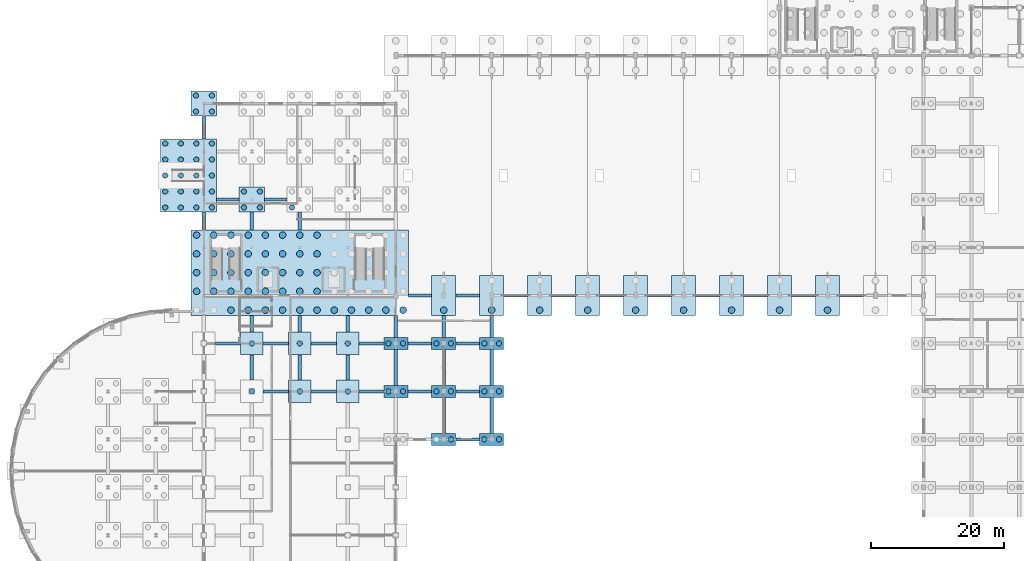
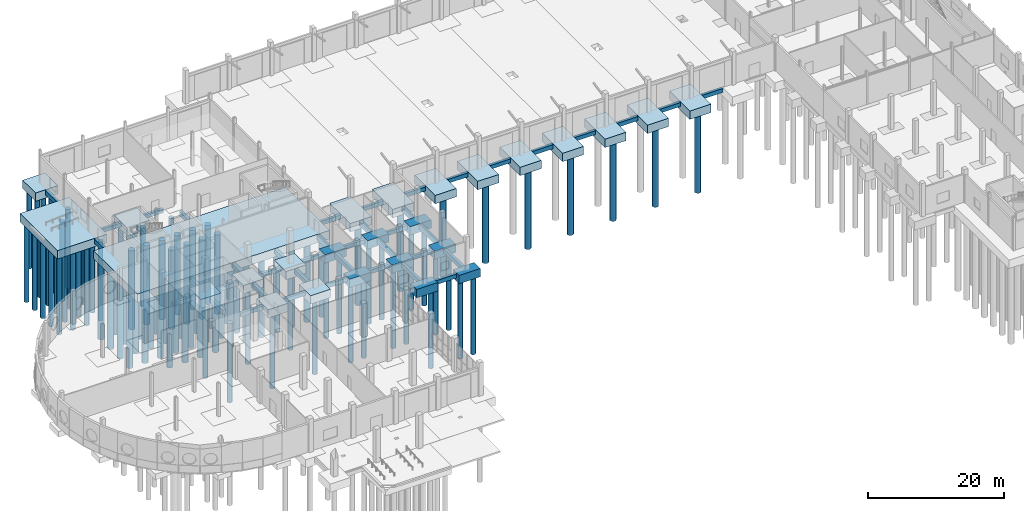
# One storey, part 2 of 45: 102 piles, 68 footings.
"""IFC4 building model written with IfcOpenShell, lengths in metres."""

from ifc_helpers import new_model, si_unit, direction, frame, origin, origin_2d, place, context, subcontext, project, spatial, rectangle, circle, extrude, material, material_profile, profile_set, type_object, element, save


model = new_model("IFC4")

# Units and contexts
model_context = context("Model", 3, precision=1e-05, world=origin(), true_north=direction((0.0, 1.0)))
body_context = subcontext(model_context, "Body", "Model", "MODEL_VIEW")
ifc_project = project(units=[si_unit("LENGTHUNIT", "METRE"), si_unit("AREAUNIT", "SQUARE_METRE"), si_unit("VOLUMEUNIT", "CUBIC_METRE"), si_unit("PLANEANGLEUNIT", "RADIAN"), si_unit("MASSUNIT", "GRAM", prefix="KILO")], contexts=[model_context])

# Site, building, storey
site_placement = place(None, origin())
site = spatial("IfcSite", under=ifc_project, at=site_placement, CompositionType="ELEMENT")
building_placement = place(site_placement, origin())
building = spatial("IfcBuilding", under=site, at=building_placement, Name="Yarey Park Central Fire Station", CompositionType="ELEMENT")
storey_placement = place(building_placement, origin())
storey = spatial("IfcBuildingStorey", under=building, at=storey_placement, Name="L01", CompositionType="ELEMENT", Elevation=0.0)

# Footings
ifc_material = material(Name="Concrete C35/45", Category="concrete")
footing_type_1 = type_object("IfcFootingType", Name="STR_CAP_M02", PredefinedType="PILE_CAP", material=ifc_material)
footing_1_placement = place(storey_placement, frame((43.199951171875, 61.02490234375, -1.5), z_axis=(0.0, 0.0, 1.0), x_axis=(1.0, 0.0, 0.0)))
element("IfcFooting", 1, at=footing_1_placement, inside=storey, type_object=footing_type_1, Name="FDN_CAP_002", PredefinedType="PILE_CAP", context=body_context, shape_type="SweptSolid", body=[
    extrude(rectangle(XDim=32.60009765625, YDim=12.85009765625, at=origin_2d()), origin(), (0.0, 0.0, 1.0), 1.5),
])
footing_type_2 = type_object("IfcFootingType", Name="STR_CAP_M08", PredefinedType="PILE_CAP", material=ifc_material)
footing_2_placement = place(storey_placement, frame((26.5, 75.60009765625, -1.5), z_axis=(0.0, 0.0, 1.0), x_axis=(1.0, 0.0, 0.0)))
element("IfcFooting", 2, at=footing_2_placement, inside=storey, type_object=footing_type_2, Name="FDN_CAP_008", PredefinedType="PILE_CAP", context=body_context, shape_type="SweptSolid", body=[
    extrude(rectangle(XDim=8.39990234375, YDim=11.0, at=origin_2d()), origin(), (0.0, 0.0, 1.0), 1.5),
])
footing_type_3 = type_object("IfcFootingType", Name="STR_CAP_PC2", PredefinedType="PILE_CAP", material=ifc_material)
for number, where, z_axis, x_axis, name in (
    (3, (57.60009765625, 43.199951171875, -1.5), (0.0, 0.0, 1.0), (1.0, 0.0, 0.0), "FDN_CAP_059"),
    (4, (57.60009765625, 50.39990234375, -1.5), (0.0, 0.0, 1.0), (1.0, 0.0, 0.0), "FDN_CAP_060"),
    (5, (64.800048828125, 36.0, -1.5), (0.0, 0.0, 1.0), (1.0, 0.0, 0.0), "FDN_CAP_065"),
    (6, (64.800048828125, 43.199951171875, -1.5), (0.0, 0.0, 1.0), (1.0, 0.0, 0.0), "FDN_CAP_066"),
    (7, (64.800048828125, 50.39990234375, -1.5), (0.0, 0.0, 1.0), (1.0, 0.0, 0.0), "FDN_CAP_067"),
    (8, (72.0, 36.0, -1.5), (0.0, 0.0, 1.0), (1.0, 0.0, 0.0), "FDN_CAP_070"),
    (9, (72.0, 43.199951171875, -1.5), (0.0, 0.0, 1.0), (1.0, 0.0, 0.0), "FDN_CAP_071"),
    (10, (72.0, 50.39990234375, -1.5), (0.0, 0.0, 1.0), (1.0, 0.0, 0.0), "FDN_CAP_072"),
):
    element("IfcFooting", number, at=place(storey_placement, frame(where, z_axis=z_axis, x_axis=x_axis)), inside=storey, type_object=footing_type_3, Name=name, PredefinedType="PILE_CAP", context=body_context, shape_type="SweptSolid", body=[
        extrude(rectangle(XDim=3.60009765625, YDim=1.800048828125, at=origin_2d()), origin(), (0.0, 0.0, 1.0), 1.5),
    ])
footing_type_4 = type_object("IfcFootingType", Name="STR_CAP_PC4", PredefinedType="PILE_CAP", material=ifc_material)
for number, where, z_axis, x_axis, name in (
    (11, (36.0, 50.39990234375, -1.5), (0.0, 0.0, 1.0), (1.0, 0.0, 0.0), "FDN_CAP_033"),
    (12, (43.199951171875, 43.199951171875, -1.5), (0.0, 0.0, 1.0), (1.0, 0.0, 0.0), "FDN_CAP_039"),
    (13, (43.199951171875, 50.39990234375, -1.5), (0.0, 0.0, 1.0), (1.0, 0.0, 0.0), "FDN_CAP_040"),
    (14, (50.39990234375, 43.199951171875, -1.5), (0.0, 0.0, 1.0), (1.0, 0.0, 0.0), "FDN_CAP_049"),
    (15, (50.39990234375, 50.39990234375, -1.5), (0.0, 0.0, 1.0), (1.0, 0.0, 0.0), "FDN_CAP_050"),
):
    element("IfcFooting", number, at=place(storey_placement, frame(where, z_axis=z_axis, x_axis=x_axis)), inside=storey, type_object=footing_type_4, Name=name, PredefinedType="PILE_CAP", context=body_context, shape_type="SweptSolid", body=[
        extrude(rectangle(XDim=3.39990234375, YDim=3.39990234375, at=origin_2d()), origin(), (0.0, 0.0, 1.0), 1.5),
    ])
footing_type_5 = type_object("IfcFootingType", Name="STR_CAP_PC4H", PredefinedType="PILE_CAP", material=ifc_material)
for number, where, z_axis, x_axis, name in (
    (16, (28.800048828125, 86.39990234375, -1.5), (0.0, 0.0, 1.0), (1.0, 0.0, 0.0), "FDN_CAP_026"),
    (17, (36.0, 72.0, -1.5), (0.0, 0.0, 1.0), (1.0, 0.0, 0.0), "FDN_CAP_034"),
):
    element("IfcFooting", number, at=place(storey_placement, frame(where, z_axis=z_axis, x_axis=x_axis)), inside=storey, type_object=footing_type_5, Name=name, PredefinedType="PILE_CAP", context=body_context, shape_type="SweptSolid", body=[
        extrude(rectangle(XDim=3.800048828125, YDim=3.800048828125, at=origin_2d()), origin(), (0.0, 0.0, 1.0), 1.5),
    ])
footing_type_6 = type_object("IfcFootingType", Name="STR_CAP_PC6B", PredefinedType="PILE_CAP", material=ifc_material)
for number, where, z_axis, x_axis, name in (
    (18, (64.800048828125, 57.60009765625, -1.5), (0.0, 0.0, 1.0), (1.0, 0.0, 0.0), "FDN_CAP_068"),
    (19, (72.0, 57.60009765625, -1.5), (0.0, 0.0, 1.0), (1.0, 0.0, 0.0), "FDN_CAP_073"),
    (20, (79.199951171875, 57.60009765625, -1.5), (0.0, 0.0, 1.0), (1.0, 0.0, 0.0), "FDN_CAP_075"),
    (21, (86.39990234375, 57.60009765625, -1.5), (0.0, 0.0, 1.0), (1.0, 0.0, 0.0), "FDN_CAP_077"),
    (22, (93.60009765625, 57.60009765625, -1.5), (0.0, 0.0, 1.0), (1.0, 0.0, 0.0), "FDN_CAP_079"),
    (23, (100.800048828125, 57.60009765625, -1.5), (0.0, 0.0, 1.0), (1.0, 0.0, 0.0), "FDN_CAP_081"),
    (24, (108.0, 57.60009765625, -1.5), (0.0, 0.0, 1.0), (1.0, 0.0, 0.0), "FDN_CAP_083"),
    (25, (115.199951171875, 57.60009765625, -1.5), (0.0, 0.0, 1.0), (1.0, 0.0, 0.0), "FDN_CAP_085"),
    (26, (122.39990234375, 57.60009765625, -1.5), (0.0, 0.0, 1.0), (1.0, 0.0, 0.0), "FDN_CAP_088"),
):
    element("IfcFooting", number, at=place(storey_placement, frame(where, z_axis=z_axis, x_axis=x_axis)), inside=storey, type_object=footing_type_6, Name=name, PredefinedType="PILE_CAP", context=body_context, shape_type="SweptSolid", body=[
        extrude(rectangle(XDim=3.60009765625, YDim=6.0, at=origin_2d()), origin(), (0.0, 0.0, 1.0), 1.5),
    ])
footing_type_7 = type_object("IfcFootingType", Name="STR_GB_1", PredefinedType="FOOTING_BEAM", material=ifc_material)
footing_3_placement = place(storey_placement, frame((68.39990234375, 36.0, -0.85009765625), z_axis=(0.0, 0.0, 1.0), x_axis=(1.0, 0.0, 0.0)))
element("IfcFooting", 27, at=footing_3_placement, inside=storey, type_object=footing_type_7, Name="FDN_GBX_032", PredefinedType="FOOTING_BEAM", context=body_context, shape_type="SweptSolid", body=[
    extrude(rectangle(XDim=3.583984375, YDim=0.449951171875, at=origin_2d()), origin(), (0.0, 0.0, 1.0), 0.699951171875),
])
for number, where, z_axis, x_axis, name in (
    (28, (39.60009765625, 43.199951171875, -0.85009765625), (0.0, 0.0, 1.0), (1.0, 0.0, 0.0), "FDN_GBX_040"),
    (29, (46.800048828125, 43.199951171875, -0.85009765625), (0.0, 0.0, 1.0), (1.0, 0.0, 0.0), "FDN_GBX_041"),
):
    element("IfcFooting", number, at=place(storey_placement, frame(where, z_axis=z_axis, x_axis=x_axis)), inside=storey, type_object=footing_type_7, Name=name, PredefinedType="FOOTING_BEAM", context=body_context, shape_type="SweptSolid", body=[
        extrude(rectangle(XDim=3.783935546875, YDim=0.449951171875, at=origin_2d()), origin(), (0.0, 0.0, 1.0), 0.699951171875),
    ])
footing_4_placement = place(storey_placement, frame((53.949951171875, 43.199951171875, -0.85009765625), z_axis=(0.0, 0.0, 1.0), x_axis=(1.0, 0.0, 0.0)))
element("IfcFooting", 30, at=footing_4_placement, inside=storey, type_object=footing_type_7, Name="FDN_GBX_042", PredefinedType="FOOTING_BEAM", context=body_context, shape_type="SweptSolid", body=[
    extrude(rectangle(XDim=3.68408203125, YDim=0.449951171875, at=origin_2d()), origin(), (0.0, 0.0, 1.0), 0.699951171875),
])
for number, where, z_axis, x_axis, name in (
    (31, (61.199951171875, 43.199951171875, -0.85009765625), (0.0, 0.0, 1.0), (1.0, 0.0, 0.0), "FDN_GBX_043"),
    (32, (68.39990234375, 43.199951171875, -0.85009765625), (0.0, 0.0, 1.0), (1.0, 0.0, 0.0), "FDN_GBX_044"),
):
    element("IfcFooting", number, at=place(storey_placement, frame(where, z_axis=z_axis, x_axis=x_axis)), inside=storey, type_object=footing_type_7, Name=name, PredefinedType="FOOTING_BEAM", context=body_context, shape_type="SweptSolid", body=[
        extrude(rectangle(XDim=3.583984375, YDim=0.449951171875, at=origin_2d()), origin(), (0.0, 0.0, 1.0), 0.699951171875),
    ])
for number, where, z_axis, x_axis, name in (
    (33, (32.39990234375, 50.39990234375, -0.85009765625), (0.0, 0.0, 1.0), (1.0, 0.0, 0.0), "FDN_GBX_048"),
    (34, (39.60009765625, 50.39990234375, -0.85009765625), (0.0, 0.0, 1.0), (1.0, 0.0, 0.0), "FDN_GBX_049"),
    (35, (46.800048828125, 50.39990234375, -0.85009765625), (0.0, 0.0, 1.0), (1.0, 0.0, 0.0), "FDN_GBX_050"),
):
    element("IfcFooting", number, at=place(storey_placement, frame(where, z_axis=z_axis, x_axis=x_axis)), inside=storey, type_object=footing_type_7, Name=name, PredefinedType="FOOTING_BEAM", context=body_context, shape_type="SweptSolid", body=[
        extrude(rectangle(XDim=3.783935546875, YDim=0.449951171875, at=origin_2d()), origin(), (0.0, 0.0, 1.0), 0.699951171875),
    ])
footing_5_placement = place(storey_placement, frame((53.949951171875, 50.39990234375, -0.85009765625), z_axis=(0.0, 0.0, 1.0), x_axis=(1.0, 0.0, 0.0)))
element("IfcFooting", 36, at=footing_5_placement, inside=storey, type_object=footing_type_7, Name="FDN_GBX_051", PredefinedType="FOOTING_BEAM", context=body_context, shape_type="SweptSolid", body=[
    extrude(rectangle(XDim=3.68408203125, YDim=0.449951171875, at=origin_2d()), origin(), (0.0, 0.0, 1.0), 0.699951171875),
])
for number, where, z_axis, x_axis, name in (
    (37, (61.199951171875, 50.39990234375, -0.85009765625), (0.0, 0.0, 1.0), (1.0, 0.0, 0.0), "FDN_GBX_052"),
    (38, (68.39990234375, 50.39990234375, -0.85009765625), (0.0, 0.0, 1.0), (1.0, 0.0, 0.0), "FDN_GBX_053"),
):
    element("IfcFooting", number, at=place(storey_placement, frame(where, z_axis=z_axis, x_axis=x_axis)), inside=storey, type_object=footing_type_7, Name=name, PredefinedType="FOOTING_BEAM", context=body_context, shape_type="SweptSolid", body=[
        extrude(rectangle(XDim=3.583984375, YDim=0.449951171875, at=origin_2d()), origin(), (0.0, 0.0, 1.0), 0.699951171875),
    ])
footing_6_placement = place(storey_placement, frame((61.25, 57.60009765625, -0.85009765625), z_axis=(0.0, 0.0, 1.0), x_axis=(1.0, 0.0, 0.0)))
element("IfcFooting", 39, at=footing_6_placement, inside=storey, type_object=footing_type_7, Name="FDN_GBX_057", PredefinedType="FOOTING_BEAM", context=body_context, shape_type="SweptSolid", body=[
    extrude(rectangle(XDim=3.48388671875, YDim=0.449951171875, at=origin_2d()), origin(), (0.0, 0.0, 1.0), 0.699951171875),
])
for number, where, z_axis, x_axis, name in (
    (40, (68.39990234375, 57.60009765625, -0.85009765625), (0.0, 0.0, 1.0), (1.0, 0.0, 0.0), "FDN_GBX_058"),
    (41, (75.60009765625, 57.60009765625, -0.85009765625), (0.0, 0.0, 1.0), (1.0, 0.0, 0.0), "FDN_GBX_059"),
    (42, (82.800048828125, 57.60009765625, -0.85009765625), (0.0, 0.0, 1.0), (1.0, 0.0, 0.0), "FDN_GBX_060"),
    (43, (90.0, 57.60009765625, -0.85009765625), (0.0, 0.0, 1.0), (1.0, 0.0, 0.0), "FDN_GBX_061"),
    (44, (97.199951171875, 57.60009765625, -0.85009765625), (0.0, 0.0, 1.0), (1.0, 0.0, 0.0), "FDN_GBX_062"),
    (45, (104.39990234375, 57.60009765625, -0.85009765625), (0.0, 0.0, 1.0), (1.0, 0.0, 0.0), "FDN_GBX_063"),
    (46, (111.60009765625, 57.60009765625, -0.85009765625), (0.0, 0.0, 1.0), (1.0, 0.0, 0.0), "FDN_GBX_064"),
    (47, (118.800048828125, 57.60009765625, -0.85009765625), (0.0, 0.0, 1.0), (1.0, 0.0, 0.0), "FDN_GBX_065"),
    (48, (126.0, 57.60009765625, -0.85009765625), (0.0, 0.0, 1.0), (1.0, 0.0, 0.0), "FDN_GBX_066"),
):
    element("IfcFooting", number, at=place(storey_placement, frame(where, z_axis=z_axis, x_axis=x_axis)), inside=storey, type_object=footing_type_7, Name=name, PredefinedType="FOOTING_BEAM", context=body_context, shape_type="SweptSolid", body=[
        extrude(rectangle(XDim=3.583984375, YDim=0.449951171875, at=origin_2d()), origin(), (0.0, 0.0, 1.0), 0.699951171875),
    ])
for number, where, z_axis, x_axis, name in (
    (49, (32.39990234375, 72.0, -0.85009765625), (0.0, 0.0, 1.0), (1.0, 0.0, 0.0), "FDN_GBX_073"),
    (50, (39.60009765625, 72.0, -0.85009765625), (0.0, 0.0, 1.0), (1.0, 0.0, 0.0), "FDN_GBX_074"),
):
    element("IfcFooting", number, at=place(storey_placement, frame(where, z_axis=z_axis, x_axis=x_axis)), inside=storey, type_object=footing_type_7, Name=name, PredefinedType="FOOTING_BEAM", context=body_context, shape_type="SweptSolid", body=[
        extrude(rectangle(XDim=3.384033203125, YDim=0.449951171875, at=origin_2d()), origin(), (0.0, 0.0, 1.0), 0.699951171875),
    ])
footing_type_8 = type_object("IfcFootingType", Name="STR_GB_2", PredefinedType="FOOTING_BEAM", material=ifc_material)
footing_7_placement = place(storey_placement, frame((28.800048828125, 68.77490234375, -0.89990234375), z_axis=(0.0, 0.0, 1.0), x_axis=(1.0, 0.0, 0.0)))
element("IfcFooting", 51, at=footing_7_placement, inside=storey, type_object=footing_type_8, Name="FDN_GBY_131", PredefinedType="FOOTING_BEAM", context=body_context, shape_type="SweptSolid", body=[
    extrude(rectangle(XDim=0.5, YDim=2.634033203125, at=origin_2d()), origin(), (0.0, 0.0, 1.0), 0.800048828125),
])
footing_8_placement = place(storey_placement, frame((28.800048828125, 82.800048828125, -0.89990234375), z_axis=(0.0, 0.0, 1.0), x_axis=(1.0, 0.0, 0.0)))
element("IfcFooting", 52, at=footing_8_placement, inside=storey, type_object=footing_type_8, Name="FDN_GBY_132", PredefinedType="FOOTING_BEAM", context=body_context, shape_type="SweptSolid", body=[
    extrude(rectangle(XDim=0.5, YDim=3.384033203125, at=origin_2d()), origin(), (0.0, 0.0, 1.0), 0.800048828125),
])
footing_9_placement = place(storey_placement, frame((36.0, 46.800048828125, -0.89990234375), z_axis=(0.0, 0.0, 1.0), x_axis=(1.0, 0.0, 0.0)))
element("IfcFooting", 53, at=footing_9_placement, inside=storey, type_object=footing_type_8, Name="FDN_GBY_139", PredefinedType="FOOTING_BEAM", context=body_context, shape_type="SweptSolid", body=[
    extrude(rectangle(XDim=0.5, YDim=3.783935546875, at=origin_2d()), origin(), (0.0, 0.0, 1.0), 0.800048828125),
])
footing_10_placement = place(storey_placement, frame((36.0, 53.35009765625, -0.89990234375), z_axis=(0.0, 0.0, 1.0), x_axis=(1.0, 0.0, 0.0)))
element("IfcFooting", 54, at=footing_10_placement, inside=storey, type_object=footing_type_8, Name="FDN_GBY_140", PredefinedType="FOOTING_BEAM", context=body_context, shape_type="SweptSolid", body=[
    extrude(rectangle(XDim=0.5, YDim=2.48388671875, at=origin_2d()), origin(), (0.0, 0.0, 1.0), 0.800048828125),
])
footing_11_placement = place(storey_placement, frame((36.0, 68.77490234375, -0.89990234375), z_axis=(0.0, 0.0, 1.0), x_axis=(1.0, 0.0, 0.0)))
element("IfcFooting", 55, at=footing_11_placement, inside=storey, type_object=footing_type_8, Name="FDN_GBY_141", PredefinedType="FOOTING_BEAM", context=body_context, shape_type="SweptSolid", body=[
    extrude(rectangle(XDim=0.5, YDim=2.634033203125, at=origin_2d()), origin(), (0.0, 0.0, 1.0), 0.800048828125),
])
footing_12_placement = place(storey_placement, frame((43.199951171875, 46.800048828125, -0.89990234375), z_axis=(0.0, 0.0, 1.0), x_axis=(1.0, 0.0, 0.0)))
element("IfcFooting", 56, at=footing_12_placement, inside=storey, type_object=footing_type_8, Name="FDN_GBY_146", PredefinedType="FOOTING_BEAM", context=body_context, shape_type="SweptSolid", body=[
    extrude(rectangle(XDim=0.5, YDim=3.783935546875, at=origin_2d()), origin(), (0.0, 0.0, 1.0), 0.800048828125),
])
footing_13_placement = place(storey_placement, frame((43.199951171875, 53.35009765625, -0.89990234375), z_axis=(0.0, 0.0, 1.0), x_axis=(1.0, 0.0, 0.0)))
element("IfcFooting", 57, at=footing_13_placement, inside=storey, type_object=footing_type_8, Name="FDN_GBY_147", PredefinedType="FOOTING_BEAM", context=body_context, shape_type="SweptSolid", body=[
    extrude(rectangle(XDim=0.5, YDim=2.48388671875, at=origin_2d()), origin(), (0.0, 0.0, 1.0), 0.800048828125),
])
footing_14_placement = place(storey_placement, frame((43.199951171875, 68.77490234375, -0.89990234375), z_axis=(0.0, 0.0, 1.0), x_axis=(1.0, 0.0, 0.0)))
element("IfcFooting", 58, at=footing_14_placement, inside=storey, type_object=footing_type_8, Name="FDN_GBY_148", PredefinedType="FOOTING_BEAM", context=body_context, shape_type="SweptSolid", body=[
    extrude(rectangle(XDim=0.5, YDim=2.634033203125, at=origin_2d()), origin(), (0.0, 0.0, 1.0), 0.800048828125),
])
footing_15_placement = place(storey_placement, frame((50.39990234375, 46.800048828125, -0.89990234375), z_axis=(0.0, 0.0, 1.0), x_axis=(1.0, 0.0, 0.0)))
element("IfcFooting", 59, at=footing_15_placement, inside=storey, type_object=footing_type_8, Name="FDN_GBY_156", PredefinedType="FOOTING_BEAM", context=body_context, shape_type="SweptSolid", body=[
    extrude(rectangle(XDim=0.5, YDim=3.783935546875, at=origin_2d()), origin(), (0.0, 0.0, 1.0), 0.800048828125),
])
footing_16_placement = place(storey_placement, frame((50.39990234375, 53.35009765625, -0.89990234375), z_axis=(0.0, 0.0, 1.0), x_axis=(1.0, 0.0, 0.0)))
element("IfcFooting", 60, at=footing_16_placement, inside=storey, type_object=footing_type_8, Name="FDN_GBY_157", PredefinedType="FOOTING_BEAM", context=body_context, shape_type="SweptSolid", body=[
    extrude(rectangle(XDim=0.5, YDim=2.48388671875, at=origin_2d()), origin(), (0.0, 0.0, 1.0), 0.800048828125),
])
footing_17_placement = place(storey_placement, frame((57.60009765625, 46.800048828125, -0.89990234375), z_axis=(0.0, 0.0, 1.0), x_axis=(1.0, 0.0, 0.0)))
element("IfcFooting", 61, at=footing_17_placement, inside=storey, type_object=footing_type_8, Name="FDN_GBY_166", PredefinedType="FOOTING_BEAM", context=body_context, shape_type="SweptSolid", body=[
    extrude(rectangle(XDim=0.5, YDim=5.384033203125, at=origin_2d()), origin(), (0.0, 0.0, 1.0), 0.800048828125),
])
footing_18_placement = place(storey_placement, frame((57.60009765625, 52.949951171875, -0.89990234375), z_axis=(0.0, 0.0, 1.0), x_axis=(1.0, 0.0, 0.0)))
element("IfcFooting", 62, at=footing_18_placement, inside=storey, type_object=footing_type_8, Name="FDN_GBY_167", PredefinedType="FOOTING_BEAM", context=body_context, shape_type="SweptSolid", body=[
    extrude(rectangle(XDim=0.5, YDim=3.283935546875, at=origin_2d()), origin(), (0.0, 0.0, 1.0), 0.800048828125),
])
for number, where, z_axis, x_axis, name in (
    (63, (64.800048828125, 39.60009765625, -0.89990234375), (0.0, 0.0, 1.0), (1.0, 0.0, 0.0), "FDN_GBY_172"),
    (64, (64.800048828125, 46.800048828125, -0.89990234375), (0.0, 0.0, 1.0), (1.0, 0.0, 0.0), "FDN_GBY_173"),
):
    element("IfcFooting", number, at=place(storey_placement, frame(where, z_axis=z_axis, x_axis=x_axis)), inside=storey, type_object=footing_type_8, Name=name, PredefinedType="FOOTING_BEAM", context=body_context, shape_type="SweptSolid", body=[
        extrude(rectangle(XDim=0.5, YDim=5.384033203125, at=origin_2d()), origin(), (0.0, 0.0, 1.0), 0.800048828125),
    ])
footing_19_placement = place(storey_placement, frame((64.800048828125, 52.949951171875, -0.89990234375), z_axis=(0.0, 0.0, 1.0), x_axis=(1.0, 0.0, 0.0)))
element("IfcFooting", 65, at=footing_19_placement, inside=storey, type_object=footing_type_8, Name="FDN_GBY_174", PredefinedType="FOOTING_BEAM", context=body_context, shape_type="SweptSolid", body=[
    extrude(rectangle(XDim=0.5, YDim=3.283935546875, at=origin_2d()), origin(), (0.0, 0.0, 1.0), 0.800048828125),
])
for number, where, z_axis, x_axis, name in (
    (66, (72.0, 39.60009765625, -0.89990234375), (0.0, 0.0, 1.0), (1.0, 0.0, 0.0), "FDN_GBY_175"),
    (67, (72.0, 46.800048828125, -0.89990234375), (0.0, 0.0, 1.0), (1.0, 0.0, 0.0), "FDN_GBY_176"),
):
    element("IfcFooting", number, at=place(storey_placement, frame(where, z_axis=z_axis, x_axis=x_axis)), inside=storey, type_object=footing_type_8, Name=name, PredefinedType="FOOTING_BEAM", context=body_context, shape_type="SweptSolid", body=[
        extrude(rectangle(XDim=0.5, YDim=5.384033203125, at=origin_2d()), origin(), (0.0, 0.0, 1.0), 0.800048828125),
    ])
footing_20_placement = place(storey_placement, frame((72.0, 52.949951171875, -0.89990234375), z_axis=(0.0, 0.0, 1.0), x_axis=(1.0, 0.0, 0.0)))
element("IfcFooting", 68, at=footing_20_placement, inside=storey, type_object=footing_type_8, Name="FDN_GBY_177", PredefinedType="FOOTING_BEAM", context=body_context, shape_type="SweptSolid", body=[
    extrude(rectangle(XDim=0.5, YDim=3.283935546875, at=origin_2d()), origin(), (0.0, 0.0, 1.0), 0.800048828125),
])

# Piles
ifc_material_profile_1 = material_profile(ifc_material, circle(Radius=0.5, at=origin_2d()), Name="BORED PILE D1000")
ifc_profile_set_1 = profile_set([ifc_material_profile_1], Name="Concrete C35/45")
pile_type_1 = type_object("IfcPileType", Name="STR_PILE_D1000", PredefinedType="BORED", material=ifc_profile_set_1)
for number, where, z_axis, x_axis, name in (
    (69, (27.699951171875, 58.21240234375, -1.300048828125), (0.0, 0.0, -1.0), (1.0, 0.0, 0.0), "FDN_PILE_X2770_Y5821"),
    (70, (27.699951171875, 61.02490234375, -1.300048828125), (0.0, 0.0, -1.0), (1.0, 0.0, 0.0), "FDN_PILE_X2770_Y6102"),
    (71, (27.699951171875, 63.83740234375, -1.300048828125), (0.0, 0.0, -1.0), (1.0, 0.0, 0.0), "FDN_PILE_X2770_Y6384"),
    (72, (27.699951171875, 66.64990234375, -1.300048828125), (0.0, 0.0, -1.0), (1.0, 0.0, 0.0), "FDN_PILE_X2770_Y6665"),
    (73, (30.283203125, 58.21240234375, -1.300048828125), (0.0, 0.0, -1.0), (1.0, 0.0, 0.0), "FDN_PILE_X3028_Y5821"),
    (74, (30.283203125, 61.02490234375, -1.300048828125), (0.0, 0.0, -1.0), (1.0, 0.0, 0.0), "FDN_PILE_X3028_Y6102"),
    (75, (30.283203125, 63.83740234375, -1.300048828125), (0.0, 0.0, -1.0), (1.0, 0.0, 0.0), "FDN_PILE_X3028_Y6384"),
    (76, (30.283203125, 66.64990234375, -1.300048828125), (0.0, 0.0, -1.0), (1.0, 0.0, 0.0), "FDN_PILE_X3028_Y6665"),
    (77, (32.86669921875, 55.39990234375, -1.300048828125), (0.0, 0.0, -1.0), (1.0, 0.0, 0.0), "FDN_PILE_X3287_Y5540"),
    (78, (32.86669921875, 58.21240234375, -1.300048828125), (0.0, 0.0, -1.0), (1.0, 0.0, 0.0), "FDN_PILE_X3287_Y5821"),
    (79, (32.86669921875, 61.02490234375, -1.300048828125), (0.0, 0.0, -1.0), (1.0, 0.0, 0.0), "FDN_PILE_X3287_Y6102"),
    (80, (32.86669921875, 63.83740234375, -1.300048828125), (0.0, 0.0, -1.0), (1.0, 0.0, 0.0), "FDN_PILE_X3287_Y6384"),
    (81, (32.86669921875, 66.64990234375, -1.300048828125), (0.0, 0.0, -1.0), (1.0, 0.0, 0.0), "FDN_PILE_X3287_Y6665"),
    (82, (35.449951171875, 55.39990234375, -1.300048828125), (0.0, 0.0, -1.0), (1.0, 0.0, 0.0), "FDN_PILE_X3545_Y5540"),
    (83, (35.449951171875, 58.21240234375, -1.300048828125), (0.0, 0.0, -1.0), (1.0, 0.0, 0.0), "FDN_PILE_X3545_Y5821"),
    (84, (35.449951171875, 61.02490234375, -1.300048828125), (0.0, 0.0, -1.0), (1.0, 0.0, 0.0), "FDN_PILE_X3545_Y6102"),
    (85, (35.449951171875, 63.83740234375, -1.300048828125), (0.0, 0.0, -1.0), (1.0, 0.0, 0.0), "FDN_PILE_X3545_Y6384"),
    (86, (35.449951171875, 66.64990234375, -1.300048828125), (0.0, 0.0, -1.0), (1.0, 0.0, 0.0), "FDN_PILE_X3545_Y6665"),
    (87, (38.033203125, 55.39990234375, -1.300048828125), (0.0, 0.0, -1.0), (1.0, 0.0, 0.0), "FDN_PILE_X3803_Y5540"),
    (88, (38.033203125, 58.21240234375, -1.300048828125), (0.0, 0.0, -1.0), (1.0, 0.0, 0.0), "FDN_PILE_X3803_Y5821"),
    (89, (38.033203125, 61.02490234375, -1.300048828125), (0.0, 0.0, -1.0), (1.0, 0.0, 0.0), "FDN_PILE_X3803_Y6102"),
    (90, (38.033203125, 63.83740234375, -1.300048828125), (0.0, 0.0, -1.0), (1.0, 0.0, 0.0), "FDN_PILE_X3803_Y6384"),
    (91, (38.033203125, 66.64990234375, -1.300048828125), (0.0, 0.0, -1.0), (1.0, 0.0, 0.0), "FDN_PILE_X3803_Y6665"),
    (92, (40.61669921875, 55.39990234375, -1.300048828125), (0.0, 0.0, -1.0), (1.0, 0.0, 0.0), "FDN_PILE_X4062_Y5540"),
    (93, (40.61669921875, 58.21240234375, -1.300048828125), (0.0, 0.0, -1.0), (1.0, 0.0, 0.0), "FDN_PILE_X4062_Y5821"),
    (94, (40.61669921875, 61.02490234375, -1.300048828125), (0.0, 0.0, -1.0), (1.0, 0.0, 0.0), "FDN_PILE_X4062_Y6102"),
    (95, (40.61669921875, 63.83740234375, -1.300048828125), (0.0, 0.0, -1.0), (1.0, 0.0, 0.0), "FDN_PILE_X4062_Y6384"),
    (96, (40.61669921875, 66.64990234375, -1.300048828125), (0.0, 0.0, -1.0), (1.0, 0.0, 0.0), "FDN_PILE_X4062_Y6665"),
    (97, (43.199951171875, 55.39990234375, -1.300048828125), (0.0, 0.0, -1.0), (1.0, 0.0, 0.0), "FDN_PILE_X4320_Y5540"),
    (98, (43.199951171875, 58.21240234375, -1.300048828125), (0.0, 0.0, -1.0), (1.0, 0.0, 0.0), "FDN_PILE_X4320_Y5821"),
    (99, (43.199951171875, 61.02490234375, -1.300048828125), (0.0, 0.0, -1.0), (1.0, 0.0, 0.0), "FDN_PILE_X4320_Y6102"),
    (100, (43.199951171875, 63.83740234375, -1.300048828125), (0.0, 0.0, -1.0), (1.0, 0.0, 0.0), "FDN_PILE_X4320_Y6384"),
    (101, (43.199951171875, 66.64990234375, -1.300048828125), (0.0, 0.0, -1.0), (1.0, 0.0, 0.0), "FDN_PILE_X4320_Y6665"),
    (102, (45.783203125, 55.39990234375, -1.300048828125), (0.0, 0.0, -1.0), (1.0, 0.0, 0.0), "FDN_PILE_X4578_Y5540"),
    (103, (45.783203125, 58.21240234375, -1.300048828125), (0.0, 0.0, -1.0), (1.0, 0.0, 0.0), "FDN_PILE_X4578_Y5821"),
    (104, (45.783203125, 61.02490234375, -1.300048828125), (0.0, 0.0, -1.0), (1.0, 0.0, 0.0), "FDN_PILE_X4578_Y6102"),
    (105, (45.783203125, 63.83740234375, -1.300048828125), (0.0, 0.0, -1.0), (1.0, 0.0, 0.0), "FDN_PILE_X4578_Y6384"),
    (106, (45.783203125, 66.64990234375, -1.300048828125), (0.0, 0.0, -1.0), (1.0, 0.0, 0.0), "FDN_PILE_X4578_Y6665"),
    (107, (48.36669921875, 55.39990234375, -1.300048828125), (0.0, 0.0, -1.0), (1.0, 0.0, 0.0), "FDN_PILE_X4837_Y5540"),
    (108, (50.949951171875, 55.39990234375, -1.300048828125), (0.0, 0.0, -1.0), (1.0, 0.0, 0.0), "FDN_PILE_X5095_Y5540"),
    (109, (53.533203125, 55.39990234375, -1.300048828125), (0.0, 0.0, -1.0), (1.0, 0.0, 0.0), "FDN_PILE_X5353_Y5540"),
    (110, (56.11669921875, 55.39990234375, -1.300048828125), (0.0, 0.0, -1.0), (1.0, 0.0, 0.0), "FDN_PILE_X5612_Y5540"),
    (111, (58.699951171875, 55.39990234375, -1.300048828125), (0.0, 0.0, -1.0), (1.0, 0.0, 0.0), "FDN_PILE_X5870_Y5540"),
    (112, (64.800048828125, 55.39990234375, -1.300048828125), (0.0, 0.0, -1.0), (1.0, 0.0, 0.0), "FDN_PILE_X6480_Y5540"),
    (113, (72.0, 55.39990234375, -1.300048828125), (0.0, 0.0, -1.0), (1.0, 0.0, 0.0), "FDN_PILE_X7200_Y5540"),
    (114, (79.199951171875, 55.39990234375, -1.300048828125), (0.0, 0.0, -1.0), (1.0, 0.0, 0.0), "FDN_PILE_X7920_Y5540"),
    (115, (86.39990234375, 55.39990234375, -1.300048828125), (0.0, 0.0, -1.0), (1.0, 0.0, 0.0), "FDN_PILE_X8640_Y5540"),
    (116, (93.60009765625, 55.39990234375, -1.300048828125), (0.0, 0.0, -1.0), (1.0, 0.0, 0.0), "FDN_PILE_X9360_Y5540"),
    (117, (100.800048828125, 55.39990234375, -1.300048828125), (0.0, 0.0, -1.0), (1.0, 0.0, 0.0), "FDN_PILE_X10080_Y5540"),
    (118, (108.0, 55.39990234375, -1.300048828125), (0.0, 0.0, -1.0), (1.0, 0.0, 0.0), "FDN_PILE_X10800_Y5540"),
    (119, (115.199951171875, 55.39990234375, -1.300048828125), (0.0, 0.0, -1.0), (1.0, 0.0, 0.0), "FDN_PILE_X11520_Y5540"),
    (120, (122.39990234375, 55.39990234375, -1.300048828125), (0.0, 0.0, -1.0), (1.0, 0.0, 0.0), "FDN_PILE_X12240_Y5540"),
):
    element("IfcPile", number, at=place(storey_placement, frame(where, z_axis=z_axis, x_axis=x_axis)), inside=storey, type_object=pile_type_1, Name=name, PredefinedType="BORED", context=body_context, shape_type="SweptSolid", body=[
        extrude(circle(Radius=0.5, at=origin_2d()), origin(), (0.0, 0.0, 1.0), 14.199951171875),
    ])
ifc_material_profile_2 = material_profile(ifc_material, circle(Radius=0.39990234375, at=origin_2d()), Name="BORED PILE D800")
ifc_profile_set_2 = profile_set([ifc_material_profile_2], Name="Concrete C35/45")
pile_type_2 = type_object("IfcPileType", Name="STR_PILE_D800", PredefinedType="BORED", material=ifc_profile_set_2)
for number, where, z_axis, x_axis, name in (
    (121, (23.0, 70.800048828125, -1.300048828125), (0.0, 0.0, -1.0), (1.0, 0.0, 0.0), "FDN_PILE_X2300_Y7080"),
    (122, (23.0, 73.199951171875, -1.300048828125), (0.0, 0.0, -1.0), (1.0, 0.0, 0.0), "FDN_PILE_X2300_Y7320"),
    (123, (23.0, 75.60009765625, -1.300048828125), (0.0, 0.0, -1.0), (1.0, 0.0, 0.0), "FDN_PILE_X2300_Y7560"),
    (124, (23.0, 78.0, -1.300048828125), (0.0, 0.0, -1.0), (1.0, 0.0, 0.0), "FDN_PILE_X2300_Y7800"),
    (125, (23.0, 80.39990234375, -1.300048828125), (0.0, 0.0, -1.0), (1.0, 0.0, 0.0), "FDN_PILE_X2300_Y8040"),
    (126, (25.333251953125, 70.800048828125, -1.300048828125), (0.0, 0.0, -1.0), (1.0, 0.0, 0.0), "FDN_PILE_X2533_Y7080"),
    (127, (25.333251953125, 73.199951171875, -1.300048828125), (0.0, 0.0, -1.0), (1.0, 0.0, 0.0), "FDN_PILE_X2533_Y7320"),
    (128, (25.333251953125, 75.60009765625, -1.300048828125), (0.0, 0.0, -1.0), (1.0, 0.0, 0.0), "FDN_PILE_X2533_Y7560"),
    (129, (25.333251953125, 78.0, -1.300048828125), (0.0, 0.0, -1.0), (1.0, 0.0, 0.0), "FDN_PILE_X2533_Y7800"),
    (130, (25.333251953125, 80.39990234375, -1.300048828125), (0.0, 0.0, -1.0), (1.0, 0.0, 0.0), "FDN_PILE_X2533_Y8040"),
    (131, (27.666748046875, 70.800048828125, -1.300048828125), (0.0, 0.0, -1.0), (1.0, 0.0, 0.0), "FDN_PILE_X2767_Y7080"),
    (132, (27.666748046875, 73.199951171875, -1.300048828125), (0.0, 0.0, -1.0), (1.0, 0.0, 0.0), "FDN_PILE_X2767_Y7320"),
    (133, (27.666748046875, 75.60009765625, -1.300048828125), (0.0, 0.0, -1.0), (1.0, 0.0, 0.0), "FDN_PILE_X2767_Y7560"),
    (134, (27.666748046875, 78.0, -1.300048828125), (0.0, 0.0, -1.0), (1.0, 0.0, 0.0), "FDN_PILE_X2767_Y7800"),
    (135, (27.666748046875, 80.39990234375, -1.300048828125), (0.0, 0.0, -1.0), (1.0, 0.0, 0.0), "FDN_PILE_X2767_Y8040"),
    (136, (30.0, 70.800048828125, -1.300048828125), (0.0, 0.0, -1.0), (1.0, 0.0, 0.0), "FDN_PILE_X3000_Y7080"),
    (137, (30.0, 73.199951171875, -1.300048828125), (0.0, 0.0, -1.0), (1.0, 0.0, 0.0), "FDN_PILE_X3000_Y7320"),
    (138, (30.0, 75.60009765625, -1.300048828125), (0.0, 0.0, -1.0), (1.0, 0.0, 0.0), "FDN_PILE_X3000_Y7560"),
    (139, (30.0, 78.0, -1.300048828125), (0.0, 0.0, -1.0), (1.0, 0.0, 0.0), "FDN_PILE_X3000_Y7800"),
    (140, (30.0, 80.39990234375, -1.300048828125), (0.0, 0.0, -1.0), (1.0, 0.0, 0.0), "FDN_PILE_X3000_Y8040"),
    (141, (27.60009765625, 85.199951171875, -1.300048828125), (0.0, 0.0, -1.0), (1.0, 0.0, 0.0), "FDN_PILE_X2760_Y8520"),
    (142, (27.60009765625, 87.60009765625, -1.300048828125), (0.0, 0.0, -1.0), (1.0, 0.0, 0.0), "FDN_PILE_X2760_Y8760"),
    (143, (30.0, 85.199951171875, -1.300048828125), (0.0, 0.0, -1.0), (1.0, 0.0, 0.0), "FDN_PILE_X3000_Y8520"),
    (144, (30.0, 87.60009765625, -1.300048828125), (0.0, 0.0, -1.0), (1.0, 0.0, 0.0), "FDN_PILE_X3000_Y8760"),
    (145, (36.0, 43.199951171875, -1.300048828125), (0.0, 0.0, -1.0), (1.0, 0.0, 0.0), "FDN_PILE_X3600_Y4320"),
    (146, (36.0, 50.39990234375, -1.300048828125), (0.0, 0.0, -1.0), (1.0, 0.0, 0.0), "FDN_PILE_X3600_Y5040"),
    (147, (34.800048828125, 70.800048828125, -1.300048828125), (0.0, 0.0, -1.0), (1.0, 0.0, 0.0), "FDN_PILE_X3480_Y7080"),
    (148, (34.800048828125, 73.199951171875, -1.300048828125), (0.0, 0.0, -1.0), (1.0, 0.0, 0.0), "FDN_PILE_X3480_Y7320"),
    (149, (37.199951171875, 70.800048828125, -1.300048828125), (0.0, 0.0, -1.0), (1.0, 0.0, 0.0), "FDN_PILE_X3720_Y7080"),
    (150, (37.199951171875, 73.199951171875, -1.300048828125), (0.0, 0.0, -1.0), (1.0, 0.0, 0.0), "FDN_PILE_X3720_Y7320"),
    (151, (43.199951171875, 43.199951171875, -1.300048828125), (0.0, 0.0, -1.0), (1.0, 0.0, 0.0), "FDN_PILE_X4320_Y4320"),
    (152, (43.199951171875, 50.39990234375, -1.300048828125), (0.0, 0.0, -1.0), (1.0, 0.0, 0.0), "FDN_PILE_X4320_Y5040"),
    (153, (42.0, 70.800048828125, -1.300048828125), (0.0, 0.0, -1.0), (1.0, 0.0, 0.0), "FDN_PILE_X4200_Y7080"),
    (154, (50.39990234375, 43.199951171875, -1.300048828125), (0.0, 0.0, -1.0), (1.0, 0.0, 0.0), "FDN_PILE_X5040_Y4320"),
    (155, (50.39990234375, 50.39990234375, -1.300048828125), (0.0, 0.0, -1.0), (1.0, 0.0, 0.0), "FDN_PILE_X5040_Y5040"),
    (156, (56.5, 43.199951171875, -1.300048828125), (0.0, 0.0, -1.0), (1.0, 0.0, 0.0), "FDN_PILE_X5650_Y4320"),
    (157, (58.699951171875, 43.199951171875, -1.300048828125), (0.0, 0.0, -1.0), (1.0, 0.0, 0.0), "FDN_PILE_X5870_Y4320"),
    (158, (56.5, 50.39990234375, -1.300048828125), (0.0, 0.0, -1.0), (1.0, 0.0, 0.0), "FDN_PILE_X5650_Y5040"),
    (159, (58.699951171875, 50.39990234375, -1.300048828125), (0.0, 0.0, -1.0), (1.0, 0.0, 0.0), "FDN_PILE_X5870_Y5040"),
    (160, (65.89990234375, 36.0, -1.300048828125), (0.0, 0.0, -1.0), (1.0, 0.0, 0.0), "FDN_PILE_X6590_Y3600"),
    (161, (63.699951171875, 43.199951171875, -1.300048828125), (0.0, 0.0, -1.0), (1.0, 0.0, 0.0), "FDN_PILE_X6370_Y4320"),
    (162, (65.89990234375, 43.199951171875, -1.300048828125), (0.0, 0.0, -1.0), (1.0, 0.0, 0.0), "FDN_PILE_X6590_Y4320"),
    (163, (63.699951171875, 50.39990234375, -1.300048828125), (0.0, 0.0, -1.0), (1.0, 0.0, 0.0), "FDN_PILE_X6370_Y5040"),
    (164, (65.89990234375, 50.39990234375, -1.300048828125), (0.0, 0.0, -1.0), (1.0, 0.0, 0.0), "FDN_PILE_X6590_Y5040"),
    (165, (70.89990234375, 36.0, -1.300048828125), (0.0, 0.0, -1.0), (1.0, 0.0, 0.0), "FDN_PILE_X7090_Y3600"),
    (166, (73.10009765625, 36.0, -1.300048828125), (0.0, 0.0, -1.0), (1.0, 0.0, 0.0), "FDN_PILE_X7310_Y3600"),
    (167, (70.89990234375, 43.199951171875, -1.300048828125), (0.0, 0.0, -1.0), (1.0, 0.0, 0.0), "FDN_PILE_X7090_Y4320"),
    (168, (73.10009765625, 43.199951171875, -1.300048828125), (0.0, 0.0, -1.0), (1.0, 0.0, 0.0), "FDN_PILE_X7310_Y4320"),
    (169, (70.89990234375, 50.39990234375, -1.300048828125), (0.0, 0.0, -1.0), (1.0, 0.0, 0.0), "FDN_PILE_X7090_Y5040"),
    (170, (73.10009765625, 50.39990234375, -1.300048828125), (0.0, 0.0, -1.0), (1.0, 0.0, 0.0), "FDN_PILE_X7310_Y5040"),
):
    element("IfcPile", number, at=place(storey_placement, frame(where, z_axis=z_axis, x_axis=x_axis)), inside=storey, type_object=pile_type_2, Name=name, PredefinedType="BORED", context=body_context, shape_type="SweptSolid", body=[
        extrude(circle(Radius=0.39990234375, at=origin_2d()), origin(), (0.0, 0.0, 1.0), 14.199951171875),
    ])

save(model, "model.ifc")
